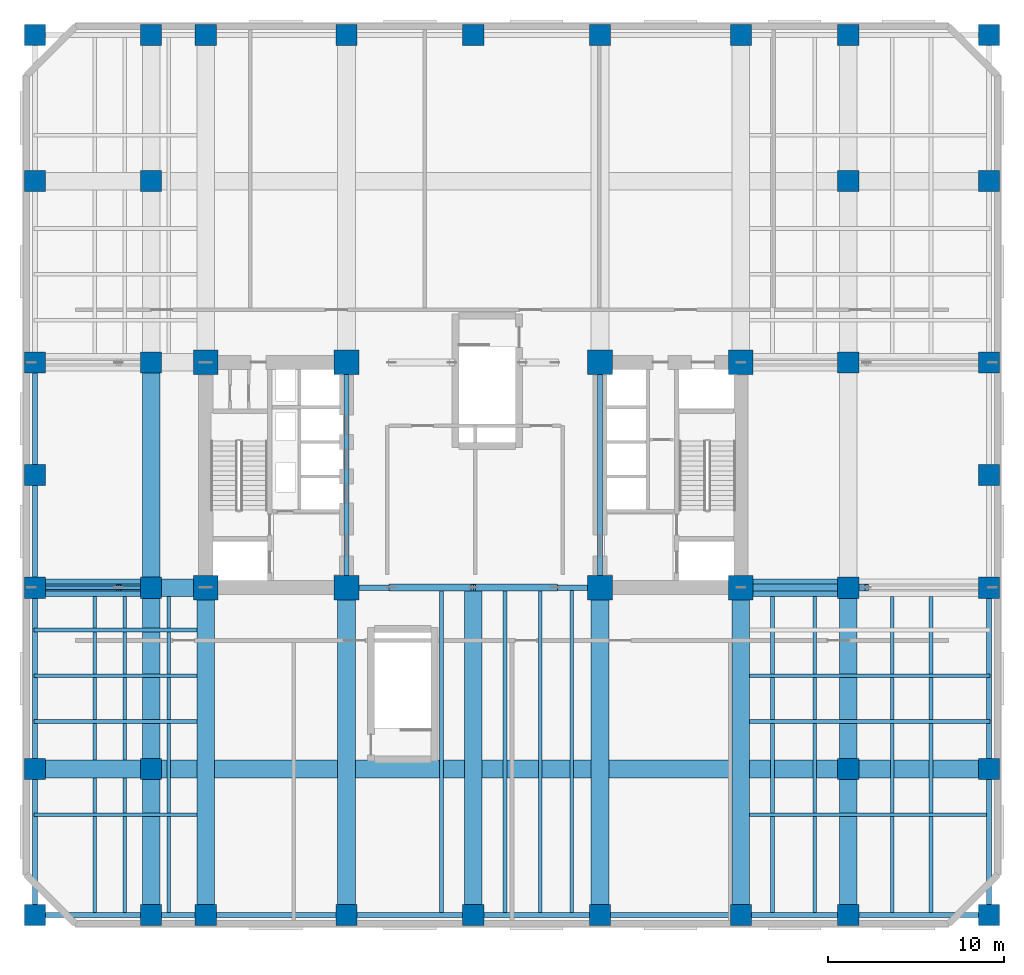
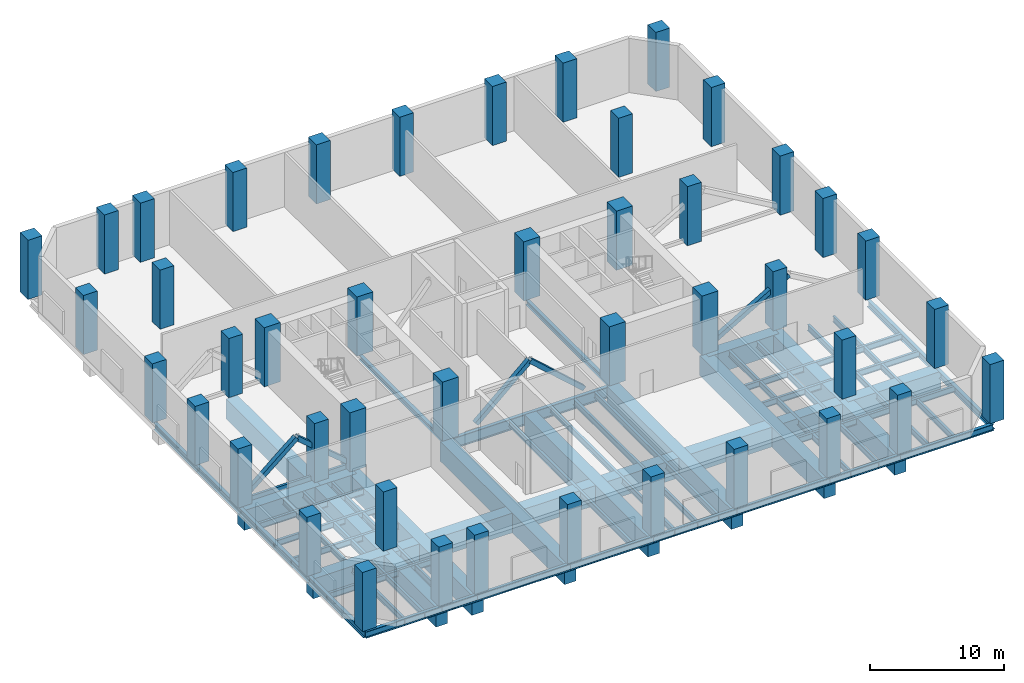
# One storey, part 1 of 13: 51 beams, 44 columns, 6 members.
"""IFC4 building model written with IfcOpenShell, lengths in metres."""

from ifc_helpers import new_model, si_unit, direction, frame, origin, origin_2d, place, context, subcontext, project, spatial, rectangle, hollow_rectangle, i_section, extrude, material, material_profile, profile_set, type_object, element, save


model = new_model("IFC4")

# Units and contexts
model_context = context("Model", 3, precision=1e-05, world=origin(), true_north=direction((0.0, 1.0)))
body_context = subcontext(model_context, "Body", "Model", "MODEL_VIEW")
ifc_project = project(units=[si_unit("LENGTHUNIT", "METRE"), si_unit("AREAUNIT", "SQUARE_METRE"), si_unit("VOLUMEUNIT", "CUBIC_METRE"), si_unit("PLANEANGLEUNIT", "RADIAN"), si_unit("MASSUNIT", "GRAM", prefix="KILO")], contexts=[model_context])

# Site, building, storey
site_placement = place(None, origin())
site = spatial("IfcSite", under=ifc_project, at=site_placement, CompositionType="ELEMENT")
building_placement = place(site_placement, origin())
building = spatial("IfcBuilding", under=site, at=building_placement, Name="Kranthara Brick Stack", CompositionType="ELEMENT")
storey_placement = place(building_placement, frame((0.0, 0.0, 18.89990234375)))
storey = spatial("IfcBuildingStorey", under=building, at=storey_placement, Name="L04", CompositionType="ELEMENT", Elevation=18.89990234375)

# Columns
ifc_material_1 = material(Name="Concrete C70/85", Category="concrete")
ifc_material_profile_1 = material_profile(ifc_material_1, rectangle(XDim=1.39990234375, YDim=1.39990234375, at=origin_2d()), Name="RC 1400x1400")
ifc_profile_set_1 = profile_set([ifc_material_profile_1], Name="Concrete C70/85")
column_type_1 = type_object("IfcColumnType", Name="COL-CORE-1400", PredefinedType="COLUMN", material=ifc_profile_set_1)
for number, where, z_axis, x_axis, name in (
    (1, (12.800048828125, 20.800048828125, 0.0), (0.0, 0.0, 1.0), (1.0, 0.0, 0.0), "L04 Column 01"),
    (2, (20.800048828125, 20.800048828125, 0.0), (0.0, 0.0, 1.0), (1.0, 0.0, 0.0), "L04 Column 02"),
    (3, (12.800048828125, 33.60009765625, 0.0), (0.0, 0.0, 1.0), (1.0, 0.0, 0.0), "L04 Column 03"),
    (4, (20.800048828125, 33.60009765625, 0.0), (0.0, 0.0, 1.0), (1.0, 0.0, 0.0), "L04 Column 04"),
    (5, (35.199951171875, 20.800048828125, 0.0), (0.0, 0.0, 1.0), (1.0, 0.0, 0.0), "L04 Column 05"),
    (6, (43.199951171875, 20.800048828125, 0.0), (0.0, 0.0, 1.0), (1.0, 0.0, 0.0), "L04 Column 06"),
    (7, (35.199951171875, 33.60009765625, 0.0), (0.0, 0.0, 1.0), (1.0, 0.0, 0.0), "L04 Column 07"),
    (8, (43.199951171875, 33.60009765625, 0.0), (0.0, 0.0, 1.0), (1.0, 0.0, 0.0), "L04 Column 08"),
):
    element("IfcColumn", number, at=place(storey_placement, frame(where, z_axis=z_axis, x_axis=x_axis)), inside=storey, type_object=column_type_1, Name=name, PredefinedType="COLUMN", context=body_context, shape_type="SweptSolid", body=[
        extrude(rectangle(XDim=1.39990234375, YDim=1.39990234375, at=origin_2d()), origin(), (0.0, 0.0, 1.0), 5.400146484375),
    ])
ifc_material_2 = material(Name="Concrete C70/85", Category="concrete")
ifc_material_profile_2 = material_profile(ifc_material_2, rectangle(XDim=1.199951171875, YDim=1.199951171875, at=origin_2d()), Name="RC 1200x1200")
ifc_profile_set_2 = profile_set([ifc_material_profile_2], Name="Concrete C70/85")
column_type_2 = type_object("IfcColumnType", Name="COL-RC-1200", PredefinedType="COLUMN", material=ifc_profile_set_2)
for number, where, z_axis, x_axis, name in (
    (9, (3.10009765625, 2.199951171875, 0.0), (0.0, 0.0, 1.0), (1.0, 0.0, 0.0), "L04 Column 09"),
    (10, (3.10009765625, 52.199951171875, 0.0), (0.0, 0.0, 1.0), (1.0, 0.0, 0.0), "L04 Column 10"),
    (11, (9.699951171875, 2.199951171875, 0.0), (0.0, 0.0, 1.0), (1.0, 0.0, 0.0), "L04 Column 11"),
    (12, (9.699951171875, 52.199951171875, 0.0), (0.0, 0.0, 1.0), (1.0, 0.0, 0.0), "L04 Column 12"),
    (13, (12.800048828125, 2.199951171875, 0.0), (0.0, 0.0, 1.0), (1.0, 0.0, 0.0), "L04 Column 13"),
    (14, (12.800048828125, 52.199951171875, 0.0), (0.0, 0.0, 1.0), (1.0, 0.0, 0.0), "L04 Column 14"),
    (15, (20.800048828125, 2.199951171875, 0.0), (0.0, 0.0, 1.0), (1.0, 0.0, 0.0), "L04 Column 15"),
    (16, (20.800048828125, 52.199951171875, 0.0), (0.0, 0.0, 1.0), (1.0, 0.0, 0.0), "L04 Column 16"),
    (17, (28.0, 2.199951171875, 0.0), (0.0, 0.0, 1.0), (1.0, 0.0, 0.0), "L04 Column 17"),
    (18, (28.0, 52.199951171875, 0.0), (0.0, 0.0, 1.0), (1.0, 0.0, 0.0), "L04 Column 18"),
    (19, (35.199951171875, 2.199951171875, 0.0), (0.0, 0.0, 1.0), (1.0, 0.0, 0.0), "L04 Column 19"),
    (20, (35.199951171875, 52.199951171875, 0.0), (0.0, 0.0, 1.0), (1.0, 0.0, 0.0), "L04 Column 20"),
    (21, (43.199951171875, 2.199951171875, 0.0), (0.0, 0.0, 1.0), (1.0, 0.0, 0.0), "L04 Column 21"),
    (22, (43.199951171875, 52.199951171875, 0.0), (0.0, 0.0, 1.0), (1.0, 0.0, 0.0), "L04 Column 22"),
    (23, (49.300048828125, 2.199951171875, 0.0), (0.0, 0.0, 1.0), (1.0, 0.0, 0.0), "L04 Column 23"),
    (24, (49.300048828125, 52.199951171875, 0.0), (0.0, 0.0, 1.0), (1.0, 0.0, 0.0), "L04 Column 24"),
    (25, (57.300048828125, 2.199951171875, 0.0), (0.0, 0.0, 1.0), (1.0, 0.0, 0.0), "L04 Column 25"),
    (26, (57.300048828125, 52.199951171875, 0.0), (0.0, 0.0, 1.0), (1.0, 0.0, 0.0), "L04 Column 26"),
    (27, (3.10009765625, 10.5, 0.0), (0.0, 0.0, 1.0), (1.0, 0.0, 0.0), "L04 Column 27"),
    (28, (57.300048828125, 10.5, 0.0), (0.0, 0.0, 1.0), (1.0, 0.0, 0.0), "L04 Column 28"),
    (29, (3.10009765625, 20.800048828125, 0.0), (0.0, 0.0, 1.0), (1.0, 0.0, 0.0), "L04 Column 29"),
    (30, (57.300048828125, 20.800048828125, 0.0), (0.0, 0.0, 1.0), (1.0, 0.0, 0.0), "L04 Column 30"),
    (31, (3.10009765625, 27.199951171875, 0.0), (0.0, 0.0, 1.0), (1.0, 0.0, 0.0), "L04 Column 31"),
    (32, (57.300048828125, 27.199951171875, 0.0), (0.0, 0.0, 1.0), (1.0, 0.0, 0.0), "L04 Column 32"),
    (33, (3.10009765625, 33.60009765625, 0.0), (0.0, 0.0, 1.0), (1.0, 0.0, 0.0), "L04 Column 33"),
    (34, (57.300048828125, 33.60009765625, 0.0), (0.0, 0.0, 1.0), (1.0, 0.0, 0.0), "L04 Column 34"),
    (35, (3.10009765625, 43.89990234375, 0.0), (0.0, 0.0, 1.0), (1.0, 0.0, 0.0), "L04 Column 35"),
    (36, (57.300048828125, 43.89990234375, 0.0), (0.0, 0.0, 1.0), (1.0, 0.0, 0.0), "L04 Column 36"),
    (37, (9.699951171875, 10.5, 0.0), (0.0, 0.0, 1.0), (1.0, 0.0, 0.0), "L04 Column 37"),
    (38, (9.699951171875, 20.800048828125, 0.0), (0.0, 0.0, 1.0), (1.0, 0.0, 0.0), "L04 Column 38"),
    (39, (9.699951171875, 33.60009765625, 0.0), (0.0, 0.0, 1.0), (1.0, 0.0, 0.0), "L04 Column 39"),
    (40, (9.699951171875, 43.89990234375, 0.0), (0.0, 0.0, 1.0), (1.0, 0.0, 0.0), "L04 Column 40"),
    (41, (49.300048828125, 10.5, 0.0), (0.0, 0.0, 1.0), (1.0, 0.0, 0.0), "L04 Column 41"),
    (42, (49.300048828125, 20.800048828125, 0.0), (0.0, 0.0, 1.0), (1.0, 0.0, 0.0), "L04 Column 42"),
    (43, (49.300048828125, 33.60009765625, 0.0), (0.0, 0.0, 1.0), (1.0, 0.0, 0.0), "L04 Column 43"),
    (44, (49.300048828125, 43.89990234375, 0.0), (0.0, 0.0, 1.0), (1.0, 0.0, 0.0), "L04 Column 44"),
):
    element("IfcColumn", number, at=place(storey_placement, frame(where, z_axis=z_axis, x_axis=x_axis)), inside=storey, type_object=column_type_2, Name=name, PredefinedType="COLUMN", context=body_context, shape_type="SweptSolid", body=[
        extrude(rectangle(XDim=1.199951171875, YDim=1.199951171875, at=origin_2d()), origin(), (0.0, 0.0, 1.0), 5.400146484375),
    ])

# Beams
ifc_material_3 = material(Name="Steel S355", Category="steel")
ifc_material_profile_3 = material_profile(ifc_material_3, i_section(OverallWidth=0.2099609375, OverallDepth=0.550048828125, WebThickness=0.010986328125, FlangeThickness=0.01708984375, at=origin_2d()), Name="IPE 550")
ifc_profile_set_3 = profile_set([ifc_material_profile_3], Name="Steel S355")
beam_type_1 = type_object("IfcBeamType", Name="BM-JST-IPE550", PredefinedType="JOIST", material=ifc_profile_set_3)
for number, where, z_axis, x_axis, name in (
    (45, (6.5, 2.14990234375, -0.77490234375), (0.0, 1.0, 0.0), (-1.0, 0.0, 0.0), "L04 South Wing Floor Joist 065"),
    (46, (8.199951171875, 2.14990234375, -0.77490234375), (0.0, 1.0, 0.0), (-1.0, 0.0, 0.0), "L04 South Wing Floor Joist 067"),
    (47, (10.699951171875, 2.14990234375, -0.77490234375), (0.0, 1.0, 0.0), (-1.0, 0.0, 0.0), "L04 South Wing Floor Joist 069"),
):
    element("IfcBeam", number, at=place(storey_placement, frame(where, z_axis=z_axis, x_axis=x_axis)), inside=storey, type_object=beam_type_1, Name=name, PredefinedType="JOIST", context=body_context, shape_type="SweptSolid", body=[
        extrude(i_section(OverallWidth=0.2099609375, OverallDepth=0.550048828125, WebThickness=0.010986328125, FlangeThickness=0.01708984375, at=origin_2d()), origin(), (0.0, 0.0, 1.0), 18.150146484375),
    ])
for number, where, z_axis, x_axis, name in (
    (48, (26.199951171875, 2.14990234375, -0.77490234375), (0.0, 1.0, 0.0), (-1.0, 0.0, 0.0), "L04 South Wing Floor Joist 071"),
    (49, (29.800048828125, 2.14990234375, -0.77490234375), (0.0, 1.0, 0.0), (-1.0, 0.0, 0.0), "L04 South Wing Floor Joist 072"),
    (50, (31.800048828125, 2.14990234375, -0.77490234375), (0.0, 1.0, 0.0), (-1.0, 0.0, 0.0), "L04 South Wing Floor Joist 073"),
    (51, (33.60009765625, 2.14990234375, -0.77490234375), (0.0, 1.0, 0.0), (-1.0, 0.0, 0.0), "L04 South Wing Floor Joist 074"),
):
    element("IfcBeam", number, at=place(storey_placement, frame(where, z_axis=z_axis, x_axis=x_axis)), inside=storey, type_object=beam_type_1, Name=name, PredefinedType="JOIST", context=body_context, shape_type="SweptSolid", body=[
        extrude(i_section(OverallWidth=0.2099609375, OverallDepth=0.550048828125, WebThickness=0.010986328125, FlangeThickness=0.01708984375, at=origin_2d()), origin(), (0.0, 0.0, 1.0), 18.5),
    ])
for number, where, z_axis, x_axis, name in (
    (52, (45.0, 2.14990234375, -0.77490234375), (0.0, 1.0, 0.0), (-1.0, 0.0, 0.0), "L04 South Wing Floor Joist 075"),
    (53, (47.39990234375, 2.14990234375, -0.77490234375), (0.0, 1.0, 0.0), (-1.0, 0.0, 0.0), "L04 South Wing Floor Joist 077"),
    (54, (51.800048828125, 2.14990234375, -0.77490234375), (0.0, 1.0, 0.0), (-1.0, 0.0, 0.0), "L04 South Wing Floor Joist 079"),
    (55, (54.0, 2.14990234375, -0.77490234375), (0.0, 1.0, 0.0), (-1.0, 0.0, 0.0), "L04 South Wing Floor Joist 081"),
):
    element("IfcBeam", number, at=place(storey_placement, frame(where, z_axis=z_axis, x_axis=x_axis)), inside=storey, type_object=beam_type_1, Name=name, PredefinedType="JOIST", context=body_context, shape_type="SweptSolid", body=[
        extrude(i_section(OverallWidth=0.2099609375, OverallDepth=0.550048828125, WebThickness=0.010986328125, FlangeThickness=0.01708984375, at=origin_2d()), origin(), (0.0, 0.0, 1.0), 18.150146484375),
    ])
beam_1_placement = place(storey_placement, frame((3.050048828125, 7.89990234375, -0.77490234375), z_axis=(1.0, 0.0, 0.0), x_axis=(0.0, 1.0, 0.0)))
element("IfcBeam", 56, at=beam_1_placement, inside=storey, type_object=beam_type_1, Name="L04 West Wing Floor Joist 083", PredefinedType="JOIST", context=body_context, shape_type="SweptSolid", body=[
    extrude(i_section(OverallWidth=0.2099609375, OverallDepth=0.550048828125, WebThickness=0.010986328125, FlangeThickness=0.01708984375, at=origin_2d()), origin(), (0.0, 0.0, 1.0), 9.25),
])
beam_2_placement = place(storey_placement, frame((43.699951171875, 7.89990234375, -0.77490234375), z_axis=(1.0, 0.0, 0.0), x_axis=(0.0, 1.0, 0.0)))
element("IfcBeam", 57, at=beam_2_placement, inside=storey, type_object=beam_type_1, Name="L04 East Wing Floor Joist 084", PredefinedType="JOIST", context=body_context, shape_type="SweptSolid", body=[
    extrude(i_section(OverallWidth=0.2099609375, OverallDepth=0.550048828125, WebThickness=0.010986328125, FlangeThickness=0.01708984375, at=origin_2d()), origin(), (0.0, 0.0, 1.0), 13.650146484375),
])
beam_3_placement = place(storey_placement, frame((3.050048828125, 13.199951171875, -0.77490234375), z_axis=(1.0, 0.0, 0.0), x_axis=(0.0, 1.0, 0.0)))
element("IfcBeam", 58, at=beam_3_placement, inside=storey, type_object=beam_type_1, Name="L04 West Wing Floor Joist 085", PredefinedType="JOIST", context=body_context, shape_type="SweptSolid", body=[
    extrude(i_section(OverallWidth=0.2099609375, OverallDepth=0.550048828125, WebThickness=0.010986328125, FlangeThickness=0.01708984375, at=origin_2d()), origin(), (0.0, 0.0, 1.0), 9.25),
])
beam_4_placement = place(storey_placement, frame((43.699951171875, 13.199951171875, -0.77490234375), z_axis=(1.0, 0.0, 0.0), x_axis=(0.0, 1.0, 0.0)))
element("IfcBeam", 59, at=beam_4_placement, inside=storey, type_object=beam_type_1, Name="L04 East Wing Floor Joist 086", PredefinedType="JOIST", context=body_context, shape_type="SweptSolid", body=[
    extrude(i_section(OverallWidth=0.2099609375, OverallDepth=0.550048828125, WebThickness=0.010986328125, FlangeThickness=0.01708984375, at=origin_2d()), origin(), (0.0, 0.0, 1.0), 13.650146484375),
])
beam_5_placement = place(storey_placement, frame((3.050048828125, 15.800048828125, -0.77490234375), z_axis=(1.0, 0.0, 0.0), x_axis=(0.0, 1.0, 0.0)))
element("IfcBeam", 60, at=beam_5_placement, inside=storey, type_object=beam_type_1, Name="L04 West Wing Floor Joist 087", PredefinedType="JOIST", context=body_context, shape_type="SweptSolid", body=[
    extrude(i_section(OverallWidth=0.2099609375, OverallDepth=0.550048828125, WebThickness=0.010986328125, FlangeThickness=0.01708984375, at=origin_2d()), origin(), (0.0, 0.0, 1.0), 9.25),
])
beam_6_placement = place(storey_placement, frame((43.699951171875, 15.800048828125, -0.77490234375), z_axis=(1.0, 0.0, 0.0), x_axis=(0.0, 1.0, 0.0)))
element("IfcBeam", 61, at=beam_6_placement, inside=storey, type_object=beam_type_1, Name="L04 East Wing Floor Joist 088", PredefinedType="JOIST", context=body_context, shape_type="SweptSolid", body=[
    extrude(i_section(OverallWidth=0.2099609375, OverallDepth=0.550048828125, WebThickness=0.010986328125, FlangeThickness=0.01708984375, at=origin_2d()), origin(), (0.0, 0.0, 1.0), 13.650146484375),
])
beam_7_placement = place(storey_placement, frame((3.050048828125, 18.39990234375, -0.77490234375), z_axis=(1.0, 0.0, 0.0), x_axis=(0.0, 1.0, 0.0)))
element("IfcBeam", 62, at=beam_7_placement, inside=storey, type_object=beam_type_1, Name="L04 West Wing Floor Joist 089", PredefinedType="JOIST", context=body_context, shape_type="SweptSolid", body=[
    extrude(i_section(OverallWidth=0.2099609375, OverallDepth=0.550048828125, WebThickness=0.010986328125, FlangeThickness=0.01708984375, at=origin_2d()), origin(), (0.0, 0.0, 1.0), 9.25),
])
ifc_material_4 = material(Name="Steel S355", Category="steel")
ifc_material_profile_4 = material_profile(ifc_material_4, i_section(OverallWidth=0.300048828125, OverallDepth=0.449951171875, WebThickness=0.013916015625, FlangeThickness=0.02587890625, at=origin_2d()), Name="HEB 450")
ifc_profile_set_4 = profile_set([ifc_material_profile_4], Name="Steel S355")
beam_type_2 = type_object("IfcBeamType", Name="BM-STL-HEB450", PredefinedType="SPANDREL", material=ifc_profile_set_4)
for number, where, z_axis, x_axis, name in (
    (63, (20.800048828125, 20.800048828125, -0.724853515625), (0.0, 1.0, 0.0), (-1.0, 0.0, 0.0), "L04 Core Edge Tie Beam 002"),
    (64, (35.199951171875, 20.800048828125, -0.724853515625), (0.0, 1.0, 0.0), (-1.0, 0.0, 0.0), "L04 Core Edge Tie Beam 003"),
):
    element("IfcBeam", number, at=place(storey_placement, frame(where, z_axis=z_axis, x_axis=x_axis)), inside=storey, type_object=beam_type_2, Name=name, PredefinedType="SPANDREL", context=body_context, shape_type="SweptSolid", body=[
        extrude(i_section(OverallWidth=0.300048828125, OverallDepth=0.449951171875, WebThickness=0.013916015625, FlangeThickness=0.02587890625, at=origin_2d()), origin(), (0.0, 0.0, 1.0), 12.800048828125),
    ])
ifc_material_5 = material(Name="Steel S355", Category="steel")
ifc_material_profile_5 = material_profile(ifc_material_5, i_section(OverallWidth=0.300048828125, OverallDepth=0.60009765625, WebThickness=0.015380859375, FlangeThickness=0.030029296875, at=origin_2d()), Name="HEB 600")
ifc_profile_set_5 = profile_set([ifc_material_profile_5], Name="Steel S355")
beam_type_3 = type_object("IfcBeamType", Name="BM-STL-HEB600", PredefinedType="BEAM", material=ifc_profile_set_5)
beam_8_placement = place(storey_placement, frame((3.10009765625, 2.199951171875, -0.7998046875), z_axis=(1.0, 0.0, 0.0), x_axis=(0.0, 1.0, 0.0)))
element("IfcBeam", 65, at=beam_8_placement, inside=storey, type_object=beam_type_3, Name="L04 Perimeter Spandrel Beam 004", PredefinedType="BEAM", context=body_context, shape_type="SweptSolid", body=[
    extrude(i_section(OverallWidth=0.300048828125, OverallDepth=0.60009765625, WebThickness=0.015380859375, FlangeThickness=0.030029296875, at=origin_2d()), origin(), (0.0, 0.0, 1.0), 6.599853515625),
])
beam_9_placement = place(storey_placement, frame((9.699951171875, 2.199951171875, -0.7998046875), z_axis=(1.0, 0.0, 0.0), x_axis=(0.0, 1.0, 0.0)))
element("IfcBeam", 66, at=beam_9_placement, inside=storey, type_object=beam_type_3, Name="L04 Perimeter Spandrel Beam 005", PredefinedType="BEAM", context=body_context, shape_type="SweptSolid", body=[
    extrude(i_section(OverallWidth=0.300048828125, OverallDepth=0.60009765625, WebThickness=0.015380859375, FlangeThickness=0.030029296875, at=origin_2d()), origin(), (0.0, 0.0, 1.0), 3.10009765625),
])
beam_10_placement = place(storey_placement, frame((12.800048828125, 2.199951171875, -0.7998046875), z_axis=(1.0, 0.0, 0.0), x_axis=(0.0, 1.0, 0.0)))
element("IfcBeam", 67, at=beam_10_placement, inside=storey, type_object=beam_type_3, Name="L04 Perimeter Spandrel Beam 006", PredefinedType="BEAM", context=body_context, shape_type="SweptSolid", body=[
    extrude(i_section(OverallWidth=0.300048828125, OverallDepth=0.60009765625, WebThickness=0.015380859375, FlangeThickness=0.030029296875, at=origin_2d()), origin(), (0.0, 0.0, 1.0), 8.0),
])
for number, where, z_axis, x_axis, name in (
    (68, (20.800048828125, 2.199951171875, -0.7998046875), (1.0, 0.0, 0.0), (0.0, 1.0, 0.0), "L04 Perimeter Spandrel Beam 007"),
    (69, (28.0, 2.199951171875, -0.7998046875), (1.0, 0.0, 0.0), (0.0, 1.0, 0.0), "L04 Perimeter Spandrel Beam 008"),
):
    element("IfcBeam", number, at=place(storey_placement, frame(where, z_axis=z_axis, x_axis=x_axis)), inside=storey, type_object=beam_type_3, Name=name, PredefinedType="BEAM", context=body_context, shape_type="SweptSolid", body=[
        extrude(i_section(OverallWidth=0.300048828125, OverallDepth=0.60009765625, WebThickness=0.015380859375, FlangeThickness=0.030029296875, at=origin_2d()), origin(), (0.0, 0.0, 1.0), 7.199951171875),
    ])
beam_11_placement = place(storey_placement, frame((35.199951171875, 2.199951171875, -0.7998046875), z_axis=(1.0, 0.0, 0.0), x_axis=(0.0, 1.0, 0.0)))
element("IfcBeam", 70, at=beam_11_placement, inside=storey, type_object=beam_type_3, Name="L04 Perimeter Spandrel Beam 009", PredefinedType="BEAM", context=body_context, shape_type="SweptSolid", body=[
    extrude(i_section(OverallWidth=0.300048828125, OverallDepth=0.60009765625, WebThickness=0.015380859375, FlangeThickness=0.030029296875, at=origin_2d()), origin(), (0.0, 0.0, 1.0), 8.0),
])
beam_12_placement = place(storey_placement, frame((43.199951171875, 2.199951171875, -0.7998046875), z_axis=(1.0, 0.0, 0.0), x_axis=(0.0, 1.0, 0.0)))
element("IfcBeam", 71, at=beam_12_placement, inside=storey, type_object=beam_type_3, Name="L04 Perimeter Spandrel Beam 010", PredefinedType="BEAM", context=body_context, shape_type="SweptSolid", body=[
    extrude(i_section(OverallWidth=0.300048828125, OverallDepth=0.60009765625, WebThickness=0.015380859375, FlangeThickness=0.030029296875, at=origin_2d()), origin(), (0.0, 0.0, 1.0), 6.10009765625),
])
beam_13_placement = place(storey_placement, frame((49.300048828125, 2.199951171875, -0.7998046875), z_axis=(1.0, 0.0, 0.0), x_axis=(0.0, 1.0, 0.0)))
element("IfcBeam", 72, at=beam_13_placement, inside=storey, type_object=beam_type_3, Name="L04 Perimeter Spandrel Beam 011", PredefinedType="BEAM", context=body_context, shape_type="SweptSolid", body=[
    extrude(i_section(OverallWidth=0.300048828125, OverallDepth=0.60009765625, WebThickness=0.015380859375, FlangeThickness=0.030029296875, at=origin_2d()), origin(), (0.0, 0.0, 1.0), 8.0),
])
beam_14_placement = place(storey_placement, frame((3.10009765625, 2.199951171875, -0.7998046875), z_axis=(0.0, 1.0, 0.0), x_axis=(-1.0, 0.0, 0.0)))
element("IfcBeam", 73, at=beam_14_placement, inside=storey, type_object=beam_type_3, Name="L04 Perimeter Spandrel Beam 020", PredefinedType="BEAM", context=body_context, shape_type="SweptSolid", body=[
    extrude(i_section(OverallWidth=0.300048828125, OverallDepth=0.60009765625, WebThickness=0.015380859375, FlangeThickness=0.030029296875, at=origin_2d()), origin(), (0.0, 0.0, 1.0), 8.300048828125),
])
beam_15_placement = place(storey_placement, frame((3.10009765625, 10.5, -0.7998046875), z_axis=(0.0, 1.0, 0.0), x_axis=(-1.0, 0.0, 0.0)))
element("IfcBeam", 74, at=beam_15_placement, inside=storey, type_object=beam_type_3, Name="L04 Perimeter Spandrel Beam 021", PredefinedType="BEAM", context=body_context, shape_type="SweptSolid", body=[
    extrude(i_section(OverallWidth=0.300048828125, OverallDepth=0.60009765625, WebThickness=0.015380859375, FlangeThickness=0.030029296875, at=origin_2d()), origin(), (0.0, 0.0, 1.0), 10.300048828125),
])
beam_16_placement = place(storey_placement, frame((3.10009765625, 20.800048828125, -0.7998046875), z_axis=(0.0, 1.0, 0.0), x_axis=(-1.0, 0.0, 0.0)))
element("IfcBeam", 75, at=beam_16_placement, inside=storey, type_object=beam_type_3, Name="L04 Perimeter Spandrel Beam 022", PredefinedType="BEAM", context=body_context, shape_type="SweptSolid", body=[
    extrude(i_section(OverallWidth=0.300048828125, OverallDepth=0.60009765625, WebThickness=0.015380859375, FlangeThickness=0.030029296875, at=origin_2d()), origin(), (0.0, 0.0, 1.0), 6.39990234375),
])
beam_17_placement = place(storey_placement, frame((3.10009765625, 27.199951171875, -0.7998046875), z_axis=(0.0, 1.0, 0.0), x_axis=(-1.0, 0.0, 0.0)))
element("IfcBeam", 76, at=beam_17_placement, inside=storey, type_object=beam_type_3, Name="L04 Perimeter Spandrel Beam 023", PredefinedType="BEAM", context=body_context, shape_type="SweptSolid", body=[
    extrude(i_section(OverallWidth=0.300048828125, OverallDepth=0.60009765625, WebThickness=0.015380859375, FlangeThickness=0.030029296875, at=origin_2d()), origin(), (0.0, 0.0, 1.0), 6.400146484375),
])
beam_18_placement = place(storey_placement, frame((57.300048828125, 2.199951171875, -0.7998046875), z_axis=(0.0, 1.0, 0.0), x_axis=(-1.0, 0.0, 0.0)))
element("IfcBeam", 77, at=beam_18_placement, inside=storey, type_object=beam_type_3, Name="L04 Perimeter Spandrel Beam 026", PredefinedType="BEAM", context=body_context, shape_type="SweptSolid", body=[
    extrude(i_section(OverallWidth=0.300048828125, OverallDepth=0.60009765625, WebThickness=0.015380859375, FlangeThickness=0.030029296875, at=origin_2d()), origin(), (0.0, 0.0, 1.0), 8.300048828125),
])
beam_19_placement = place(storey_placement, frame((57.300048828125, 10.5, -0.7998046875), z_axis=(0.0, 1.0, 0.0), x_axis=(-1.0, 0.0, 0.0)))
element("IfcBeam", 78, at=beam_19_placement, inside=storey, type_object=beam_type_3, Name="L04 Perimeter Spandrel Beam 027", PredefinedType="BEAM", context=body_context, shape_type="SweptSolid", body=[
    extrude(i_section(OverallWidth=0.300048828125, OverallDepth=0.60009765625, WebThickness=0.015380859375, FlangeThickness=0.030029296875, at=origin_2d()), origin(), (0.0, 0.0, 1.0), 10.300048828125),
])
ifc_material_6 = material(Name="Steel S460", Category="steel")
ifc_material_profile_6 = material_profile(ifc_material_6, i_section(OverallWidth=0.300048828125, OverallDepth=1.0, WebThickness=0.01904296875, FlangeThickness=0.035888671875, at=origin_2d()), Name="HEB 1000")
ifc_profile_set_6 = profile_set([ifc_material_profile_6], Name="Steel S460")
beam_type_4 = type_object("IfcBeamType", Name="BM-TR-HEB1000", PredefinedType="BEAM", material=ifc_profile_set_6)
beam_20_placement = place(storey_placement, frame((20.800048828125, 20.800048828125, -1.0), z_axis=(1.0, 0.0, 0.0), x_axis=(0.0, 1.0, 0.0)))
element("IfcBeam", 79, at=beam_20_placement, inside=storey, type_object=beam_type_4, Name="L04 Core Coupling Beam 001", PredefinedType="BEAM", context=body_context, shape_type="SweptSolid", body=[
    extrude(i_section(OverallWidth=0.300048828125, OverallDepth=1.0, WebThickness=0.01904296875, FlangeThickness=0.035888671875, at=origin_2d()), origin(), (0.0, 0.0, 1.0), 14.39990234375),
])
ifc_material_7 = material(Name="Post-tensioned concrete C50/60", Category="concrete")
ifc_material_profile_7 = material_profile(ifc_material_7, rectangle(XDim=1.0, YDim=1.800048828125, at=origin_2d()), Name="PT 1000x1800")
ifc_profile_set_7 = profile_set([ifc_material_profile_7], Name="Post-tensioned concrete C50/60")
beam_type_5 = type_object("IfcBeamType", Name="BM-TR-PT1800", PredefinedType="T_BEAM", material=ifc_profile_set_7)
beam_21_placement = place(storey_placement, frame((9.699951171875, 2.199951171875, -1.39990234375), z_axis=(0.0, 1.0, 0.0), x_axis=(-1.0, 0.0, 0.0)))
element("IfcBeam", 80, at=beam_21_placement, inside=storey, type_object=beam_type_5, Name="L04 Primary Grid Girder 032", PredefinedType="T_BEAM", context=body_context, shape_type="SweptSolid", body=[
    extrude(rectangle(XDim=1.0, YDim=1.800048828125, at=origin_2d()), origin(), (0.0, 0.0, 1.0), 8.300048828125),
])
beam_22_placement = place(storey_placement, frame((9.699951171875, 10.5, -1.39990234375), z_axis=(0.0, 1.0, 0.0), x_axis=(-1.0, 0.0, 0.0)))
element("IfcBeam", 81, at=beam_22_placement, inside=storey, type_object=beam_type_5, Name="L04 Primary Grid Girder 033", PredefinedType="T_BEAM", context=body_context, shape_type="SweptSolid", body=[
    extrude(rectangle(XDim=1.0, YDim=1.800048828125, at=origin_2d()), origin(), (0.0, 0.0, 1.0), 10.300048828125),
])
beam_23_placement = place(storey_placement, frame((9.699951171875, 20.800048828125, -1.39990234375), z_axis=(0.0, 1.0, 0.0), x_axis=(-1.0, 0.0, 0.0)))
element("IfcBeam", 82, at=beam_23_placement, inside=storey, type_object=beam_type_5, Name="L04 Primary Grid Girder 034", PredefinedType="T_BEAM", context=body_context, shape_type="SweptSolid", body=[
    extrude(rectangle(XDim=1.0, YDim=1.800048828125, at=origin_2d()), origin(), (0.0, 0.0, 1.0), 12.800048828125),
])
for number, where, z_axis, x_axis, name in (
    (83, (12.800048828125, 2.199951171875, -1.39990234375), (0.0, 1.0, 0.0), (-1.0, 0.0, 0.0), "L04 Primary Grid Girder 037"),
    (84, (20.800048828125, 2.199951171875, -1.39990234375), (0.0, 1.0, 0.0), (-1.0, 0.0, 0.0), "L04 Primary Grid Girder 039"),
):
    element("IfcBeam", number, at=place(storey_placement, frame(where, z_axis=z_axis, x_axis=x_axis)), inside=storey, type_object=beam_type_5, Name=name, PredefinedType="T_BEAM", context=body_context, shape_type="SweptSolid", body=[
        extrude(rectangle(XDim=1.0, YDim=1.800048828125, at=origin_2d()), origin(), (0.0, 0.0, 1.0), 18.60009765625),
    ])
beam_24_placement = place(storey_placement, frame((28.0, 2.199951171875, -1.39990234375), z_axis=(0.0, 1.0, 0.0), x_axis=(-1.0, 0.0, 0.0)))
element("IfcBeam", 85, at=beam_24_placement, inside=storey, type_object=beam_type_5, Name="L04 Primary Grid Girder 041", PredefinedType="T_BEAM", context=body_context, shape_type="SweptSolid", body=[
    extrude(rectangle(XDim=1.0, YDim=1.800048828125, at=origin_2d()), origin(), (0.0, 0.0, 1.0), 18.449951171875),
])
for number, where, z_axis, x_axis, name in (
    (86, (35.199951171875, 2.199951171875, -1.39990234375), (0.0, 1.0, 0.0), (-1.0, 0.0, 0.0), "L04 Primary Grid Girder 042"),
    (87, (43.199951171875, 2.199951171875, -1.39990234375), (0.0, 1.0, 0.0), (-1.0, 0.0, 0.0), "L04 Primary Grid Girder 044"),
):
    element("IfcBeam", number, at=place(storey_placement, frame(where, z_axis=z_axis, x_axis=x_axis)), inside=storey, type_object=beam_type_5, Name=name, PredefinedType="T_BEAM", context=body_context, shape_type="SweptSolid", body=[
        extrude(rectangle(XDim=1.0, YDim=1.800048828125, at=origin_2d()), origin(), (0.0, 0.0, 1.0), 18.60009765625),
    ])
beam_25_placement = place(storey_placement, frame((49.300048828125, 2.199951171875, -1.39990234375), z_axis=(0.0, 1.0, 0.0), x_axis=(-1.0, 0.0, 0.0)))
element("IfcBeam", 88, at=beam_25_placement, inside=storey, type_object=beam_type_5, Name="L04 Primary Grid Girder 046", PredefinedType="T_BEAM", context=body_context, shape_type="SweptSolid", body=[
    extrude(rectangle(XDim=1.0, YDim=1.800048828125, at=origin_2d()), origin(), (0.0, 0.0, 1.0), 8.300048828125),
])
beam_26_placement = place(storey_placement, frame((49.300048828125, 10.5, -1.39990234375), z_axis=(0.0, 1.0, 0.0), x_axis=(-1.0, 0.0, 0.0)))
element("IfcBeam", 89, at=beam_26_placement, inside=storey, type_object=beam_type_5, Name="L04 Primary Grid Girder 047", PredefinedType="T_BEAM", context=body_context, shape_type="SweptSolid", body=[
    extrude(rectangle(XDim=1.0, YDim=1.800048828125, at=origin_2d()), origin(), (0.0, 0.0, 1.0), 10.300048828125),
])
beam_27_placement = place(storey_placement, frame((3.10009765625, 10.5, -1.39990234375), z_axis=(1.0, 0.0, 0.0), x_axis=(0.0, 1.0, 0.0)))
element("IfcBeam", 90, at=beam_27_placement, inside=storey, type_object=beam_type_5, Name="L04 Primary Grid Girder 051", PredefinedType="T_BEAM", context=body_context, shape_type="SweptSolid", body=[
    extrude(rectangle(XDim=1.0, YDim=1.800048828125, at=origin_2d()), origin(), (0.0, 0.0, 1.0), 6.599853515625),
])
beam_28_placement = place(storey_placement, frame((9.699951171875, 10.5, -1.39990234375), z_axis=(1.0, 0.0, 0.0), x_axis=(0.0, 1.0, 0.0)))
element("IfcBeam", 91, at=beam_28_placement, inside=storey, type_object=beam_type_5, Name="L04 Primary Grid Girder 052", PredefinedType="T_BEAM", context=body_context, shape_type="SweptSolid", body=[
    extrude(rectangle(XDim=1.0, YDim=1.800048828125, at=origin_2d()), origin(), (0.0, 0.0, 1.0), 39.60009765625),
])
beam_29_placement = place(storey_placement, frame((49.300048828125, 10.5, -1.39990234375), z_axis=(1.0, 0.0, 0.0), x_axis=(0.0, 1.0, 0.0)))
element("IfcBeam", 92, at=beam_29_placement, inside=storey, type_object=beam_type_5, Name="L04 Primary Grid Girder 053", PredefinedType="T_BEAM", context=body_context, shape_type="SweptSolid", body=[
    extrude(rectangle(XDim=1.0, YDim=1.800048828125, at=origin_2d()), origin(), (0.0, 0.0, 1.0), 8.0),
])
beam_30_placement = place(storey_placement, frame((3.10009765625, 20.800048828125, -1.39990234375), z_axis=(1.0, 0.0, 0.0), x_axis=(0.0, 1.0, 0.0)))
element("IfcBeam", 93, at=beam_30_placement, inside=storey, type_object=beam_type_5, Name="L04 Primary Grid Girder 054", PredefinedType="T_BEAM", context=body_context, shape_type="SweptSolid", body=[
    extrude(rectangle(XDim=1.0, YDim=1.800048828125, at=origin_2d()), origin(), (0.0, 0.0, 1.0), 6.599853515625),
])
beam_31_placement = place(storey_placement, frame((9.699951171875, 20.800048828125, -1.39990234375), z_axis=(1.0, 0.0, 0.0), x_axis=(0.0, 1.0, 0.0)))
element("IfcBeam", 94, at=beam_31_placement, inside=storey, type_object=beam_type_5, Name="L04 Primary Grid Girder 055", PredefinedType="T_BEAM", context=body_context, shape_type="SweptSolid", body=[
    extrude(rectangle(XDim=1.0, YDim=1.800048828125, at=origin_2d()), origin(), (0.0, 0.0, 1.0), 3.10009765625),
])
beam_32_placement = place(storey_placement, frame((43.199951171875, 20.800048828125, -1.39990234375), z_axis=(1.0, 0.0, 0.0), x_axis=(0.0, 1.0, 0.0)))
element("IfcBeam", 95, at=beam_32_placement, inside=storey, type_object=beam_type_5, Name="L04 Primary Grid Girder 056", PredefinedType="T_BEAM", context=body_context, shape_type="SweptSolid", body=[
    extrude(rectangle(XDim=1.0, YDim=1.800048828125, at=origin_2d()), origin(), (0.0, 0.0, 1.0), 6.10009765625),
])

# Members
ifc_material_8 = material(Name="Steel S460", Category="steel")
ifc_material_profile_8 = material_profile(ifc_material_8, hollow_rectangle(XDim=0.39990234375, YDim=0.39990234375, WallThickness=0.02001953125, at=origin_2d()), Name="SHS 400x400x20")
ifc_profile_set_8 = profile_set([ifc_material_profile_8], Name="Steel S460")
member_type_1 = type_object("IfcMemberType", Name="MB-BRC-SHS400", PredefinedType="BRACE", material=ifc_profile_set_8)
member_1_placement = place(storey_placement, frame((12.800048828125, 20.800048828125, 0.10009765625), z_axis=(-0.766318793148, 0.0, 0.64246051028), x_axis=(0.0, -1.0, 0.0)))
element("IfcMember", 96, at=member_1_placement, inside=storey, type_object=member_type_1, Name="L04 Outrigger Truss Diagonal 01", PredefinedType="BRACE", context=body_context, shape_type="SweptSolid", body=[
    extrude(hollow_rectangle(XDim=0.39990234375, YDim=0.39990234375, WallThickness=0.02001953125, at=origin_2d()), origin(), (0.0, 0.0, 1.0), 6.45947265625),
])
member_2_placement = place(storey_placement, frame((43.199951171875, 20.800048828125, 0.10009765625), z_axis=(0.86488324767, 0.0, 0.501973074876), x_axis=(0.0, 1.0, 0.0)))
element("IfcMember", 97, at=member_2_placement, inside=storey, type_object=member_type_1, Name="L04 Outrigger Truss Diagonal 03", PredefinedType="BRACE", context=body_context, shape_type="SweptSolid", body=[
    extrude(hollow_rectangle(XDim=0.39990234375, YDim=0.39990234375, WallThickness=0.02001953125, at=origin_2d()), origin(), (0.0, 0.0, 1.0), 8.26708984375),
])
member_3_placement = place(storey_placement, frame((7.85009765625, 20.800048828125, 4.25), z_axis=(-0.766334393077, 0.0, -0.642441902422), x_axis=(0.0, -1.0, 0.0)))
element("IfcMember", 98, at=member_3_placement, inside=storey, type_object=member_type_1, Name="L04 Outrigger Truss Diagonal 05", PredefinedType="BRACE", context=body_context, shape_type="SweptSolid", body=[
    extrude(hollow_rectangle(XDim=0.39990234375, YDim=0.39990234375, WallThickness=0.02001953125, at=origin_2d()), origin(), (0.0, 0.0, 1.0), 6.45947265625),
])
for number, where, z_axis, x_axis, name in (
    (99, (23.35009765625, 20.800048828125, 0.10009765625), (0.746080823062, 0.0, 0.665855393805), (0.0, 1.0, 0.0), "L04 Outrigger Truss Diagonal 09"),
    (100, (32.64990234375, 20.800048828125, 0.10009765625), (-0.746080823062, 0.0, 0.665855393805), (0.0, -1.0, 0.0), "L04 Outrigger Truss Diagonal 10"),
):
    element("IfcMember", number, at=place(storey_placement, frame(where, z_axis=z_axis, x_axis=x_axis)), inside=storey, type_object=member_type_1, Name=name, PredefinedType="BRACE", context=body_context, shape_type="SweptSolid", body=[
        extrude(hollow_rectangle(XDim=0.39990234375, YDim=0.39990234375, WallThickness=0.02001953125, at=origin_2d()), origin(), (0.0, 0.0, 1.0), 6.232421875),
    ])
ifc_material_9 = material(Name="Steel S355", Category="steel")
ifc_material_profile_9 = material_profile(ifc_material_9, hollow_rectangle(XDim=0.199951171875, YDim=0.39990234375, WallThickness=0.01611328125, at=origin_2d()), Name="RHS 200x400x16")
ifc_profile_set_9 = profile_set([ifc_material_profile_9], Name="Steel S355")
member_type_2 = type_object("IfcMemberType", Name="MB-CHD-RHS400", PredefinedType="CHORD", material=ifc_profile_set_9)
member_4_placement = place(storey_placement, frame((12.800048828125, 20.800048828125, 0.10009765625), z_axis=(-1.0, 0.0, 0.0), x_axis=(0.0, -1.0, 0.0)))
element("IfcMember", 101, at=member_4_placement, inside=storey, type_object=member_type_2, Name="L04 Outrigger Bottom Chord 01", PredefinedType="CHORD", context=body_context, shape_type="SweptSolid", body=[
    extrude(hollow_rectangle(XDim=0.199951171875, YDim=0.39990234375, WallThickness=0.01611328125, at=origin_2d()), origin(), (0.0, 0.0, 1.0), 9.900146484375),
])

save(model, "model.ifc")
